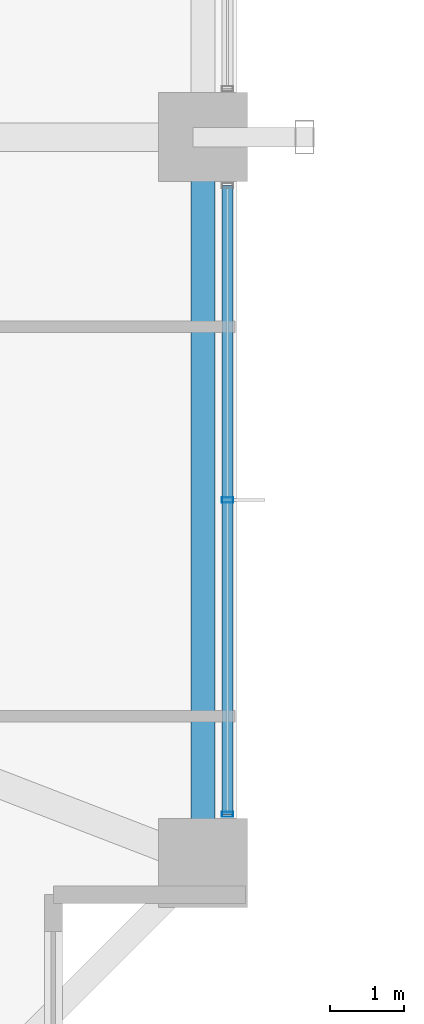
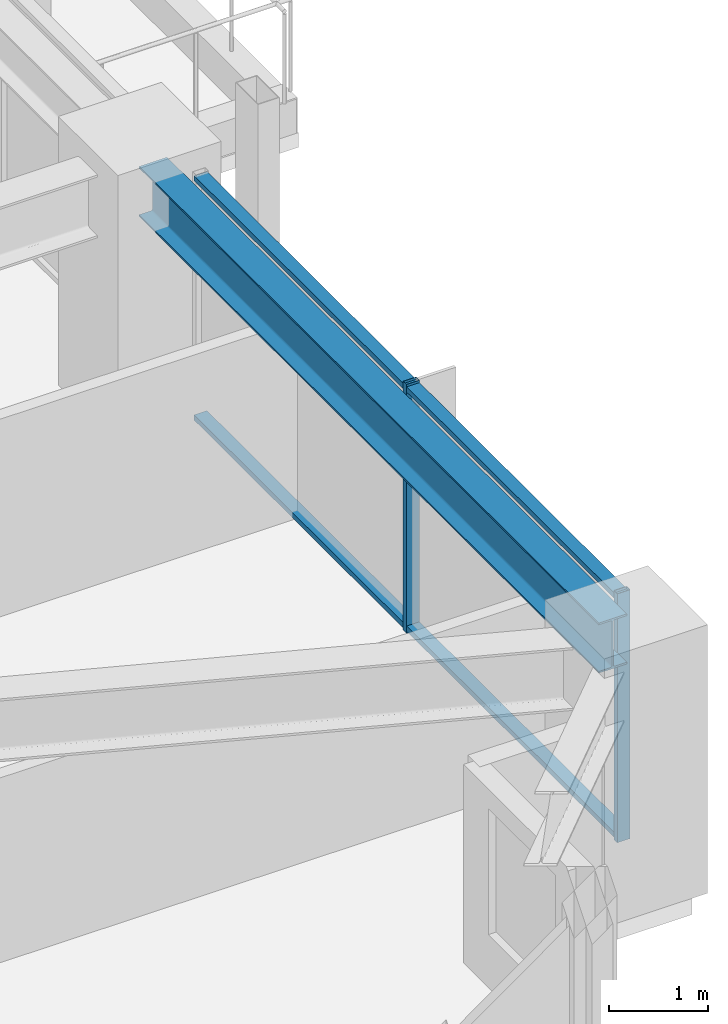
# One storey, part 14 of 38: 4 members, 1 beam, 1 element without a shape of its own.
"""IFC4 building model written with IfcOpenShell, lengths in metres."""

from ifc_helpers import new_model, si_unit, direction, frame, origin, origin_2d, place, context, subcontext, project, spatial, hollow_rectangle, i_section, extrude, material, material_profile, profile_set, type_object, element, aggregate, save


model = new_model("IFC4")

# Units and contexts
model_context = context("Model", 3, precision=1e-05, world=origin(), true_north=direction((0.0, 1.0)))
body_context = subcontext(model_context, "Body", "Model", "MODEL_VIEW")
ifc_project = project(units=[si_unit("LENGTHUNIT", "METRE"), si_unit("AREAUNIT", "SQUARE_METRE"), si_unit("VOLUMEUNIT", "CUBIC_METRE"), si_unit("PLANEANGLEUNIT", "RADIAN"), si_unit("MASSUNIT", "GRAM", prefix="KILO")], contexts=[model_context])

# Site, building, storey
site_placement = place(None, origin())
site = spatial("IfcSite", under=ifc_project, at=site_placement, CompositionType="ELEMENT")
building_placement = place(site_placement, origin())
building = spatial("IfcBuilding", under=site, at=building_placement, Name="Kolvaren Belvedere", CompositionType="ELEMENT")
storey_placement = place(building_placement, frame((0.0, 0.0, 53.5)))
storey = spatial("IfcBuildingStorey", under=building, at=storey_placement, Name="L15", CompositionType="ELEMENT", Elevation=53.5)

# Beam
ifc_material_1 = material(Name="Structural steel ASTM A992 Grade 50", Category="steel")
ifc_material_profile_1 = material_profile(ifc_material_1, i_section(OverallWidth=0.324951171875, OverallDepth=0.615966796875, WebThickness=0.013916015625, FlangeThickness=0.021484375, FilletRadius=0.02001953125, at=origin_2d()), Name="W24X117")
ifc_profile_set_1 = profile_set([ifc_material_profile_1], Name="Structural steel ASTM A992 Grade 50")
beam_type = type_object("IfcBeamType", Name="BM-SPAN-W24X117", PredefinedType="SPANDREL", material=ifc_profile_set_1)
beam_placement = place(storey_placement, frame((21.550048828125, -14.1298828125, 2.751953125), z_axis=(0.0, 1.0, 0.0), x_axis=(-1.0, 0.0, 0.0)))
element("IfcBeam", 1, at=beam_placement, inside=storey, type_object=beam_type, Name="L15 Perimeter Spandrel E1-E2", PredefinedType="SPANDREL", context=body_context, shape_type="SweptSolid", body=[
    extrude(i_section(OverallWidth=0.324951171875, OverallDepth=0.615966796875, WebThickness=0.013916015625, FlangeThickness=0.021484375, FilletRadius=0.02001953125, at=origin_2d()), origin(), (0.0, 0.0, 1.0), 9.259765625),
])

# Curtain wall, members
ifc_material_2 = material(Name="Anodised pale-metal aluminium AA 6063-T6", Category="aluminium")
curtain_wall_type = type_object("IfcCurtainWallType", Name="CW-Z1-LOW", PredefinedType="NOTDEFINED", material=ifc_material_2)
curtain_wall_placement = place(storey_placement, origin())
curtain_wall = element("IfcCurtainWall", 2, at=curtain_wall_placement, inside=storey, type_object=curtain_wall_type, Name="L15 Unitised Curtain Wall FCW-L15-E2-B2", PredefinedType="NOTDEFINED")
ifc_material_3 = material(Name="Anodised pale-metal aluminium AA 6063-T6", Category="aluminium")
ifc_material_profile_2 = material_profile(ifc_material_3, hollow_rectangle(XDim=0.070068359375, YDim=0.14990234375, WallThickness=0.004150390625, at=origin_2d()), Name="ALU-MUL-150X70")
ifc_profile_set_2 = profile_set([ifc_material_profile_2], Name="Anodised pale-metal aluminium AA 6063-T6")
member_type_1 = type_object("IfcMemberType", Name="CW-MUL-150", PredefinedType="MULLION", material=ifc_profile_set_2)
member_1_placement = place(storey_placement, frame((21.8798828125, -9.5, 0.0), z_axis=(0.0, 0.0, 1.0), x_axis=(0.0, 1.0, 0.0)))
member_1 = element("IfcMember", 3, at=member_1_placement, type_object=member_type_1, Name="FCW-L15-E2-B2 Unitised Mullion 2", PredefinedType="MULLION", context=body_context, shape_type="SweptSolid", body=[
    extrude(hollow_rectangle(XDim=0.070068359375, YDim=0.14990234375, WallThickness=0.004150390625, at=origin_2d()), origin(), (0.0, 0.0, 1.0), 3.06005859375),
])
member_2_placement = place(storey_placement, frame((21.8798828125, -13.7451171875, 0.0), z_axis=(0.0, 0.0, 1.0), x_axis=(0.0, 1.0, 0.0)))
member_2 = element("IfcMember", 4, at=member_2_placement, type_object=member_type_1, Name="FCW-L15-E2-B2 Unitised Mullion 3", PredefinedType="MULLION", context=body_context, shape_type="SweptSolid", body=[
    extrude(hollow_rectangle(XDim=0.070068359375, YDim=0.14990234375, WallThickness=0.004150390625, at=origin_2d()), origin(), (0.0, 0.0, 1.0), 3.06005859375),
])
ifc_material_4 = material(Name="Anodised pale-metal aluminium AA 6063-T6", Category="aluminium")
ifc_material_profile_3 = material_profile(ifc_material_4, hollow_rectangle(XDim=0.06494140625, YDim=0.14990234375, WallThickness=0.00390625, at=origin_2d()), Name="ALU-TRN-150X65")
ifc_profile_set_3 = profile_set([ifc_material_profile_3], Name="Anodised pale-metal aluminium AA 6063-T6")
member_type_2 = type_object("IfcMemberType", Name="CW-TRN-150", PredefinedType="USERDEFINED", material=ifc_profile_set_3)
member_3_placement = place(storey_placement, frame((21.8798828125, -5.2548828125, 0.06005859375), z_axis=(0.0, -1.0, 0.0), x_axis=(0.0, 0.0, 1.0)))
member_3 = element("IfcMember", 5, at=member_3_placement, type_object=member_type_2, Name="FCW-L15-E2-B2 Sill Transom", ObjectType="TRANSOM", PredefinedType="USERDEFINED", context=body_context, shape_type="SweptSolid", body=[
    extrude(hollow_rectangle(XDim=0.06494140625, YDim=0.14990234375, WallThickness=0.00390625, at=origin_2d()), origin(), (0.0, 0.0, 1.0), 8.490234375),
])
member_4_placement = place(storey_placement, frame((21.8798828125, -5.2548828125, 3.0), z_axis=(0.0, -1.0, 0.0), x_axis=(0.0, 0.0, 1.0)))
member_4 = element("IfcMember", 6, at=member_4_placement, type_object=member_type_2, Name="FCW-L15-E2-B2 Head Transom", ObjectType="TRANSOM", PredefinedType="USERDEFINED", context=body_context, shape_type="SweptSolid", body=[
    extrude(hollow_rectangle(XDim=0.06494140625, YDim=0.14990234375, WallThickness=0.00390625, at=origin_2d()), origin(), (0.0, 0.0, 1.0), 8.490234375),
])
aggregate(curtain_wall, [member_1, member_2, member_3, member_4])

save(model, "model.ifc")
